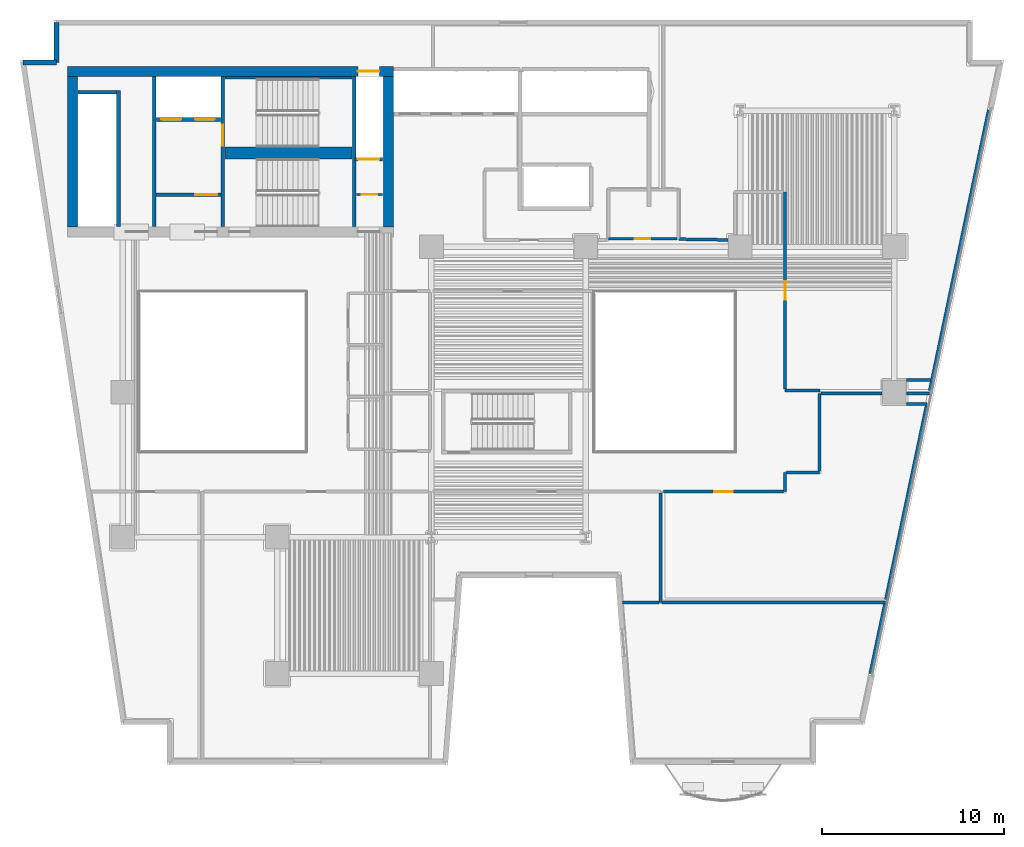
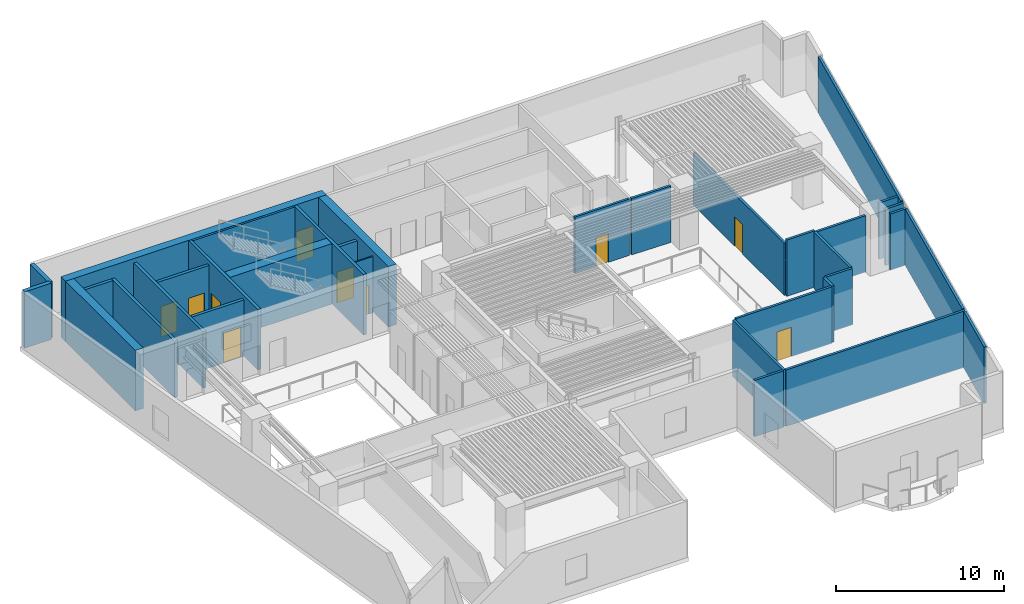
# One storey, part 5 of 11: 34 walls, 10 doors, 10 openings.
"""IFC4 building model written with IfcOpenShell, lengths in metres."""

from ifc_helpers import new_model, si_unit, direction, frame, frame_2d, origin, place, context, subcontext, project, spatial, rectangle, extrude, material, layer, layer_set, type_object, element, fill, save


model = new_model("IFC4")

# Units and contexts
model_context = context("Model", 3, precision=1e-05, world=origin(), true_north=direction((0.0, 1.0)))
body_context = subcontext(model_context, "Body", "Model", "MODEL_VIEW")
ifc_project = project(units=[si_unit("LENGTHUNIT", "METRE"), si_unit("AREAUNIT", "SQUARE_METRE"), si_unit("VOLUMEUNIT", "CUBIC_METRE"), si_unit("PLANEANGLEUNIT", "RADIAN"), si_unit("MASSUNIT", "GRAM", prefix="KILO")], contexts=[model_context])

# Site, building, storey
site_placement = place(None, origin())
site = spatial("IfcSite", under=ifc_project, at=site_placement, CompositionType="ELEMENT")
building_placement = place(site_placement, origin())
building = spatial("IfcBuilding", under=site, at=building_placement, Name="Caeloran Harvest Quay", CompositionType="ELEMENT")
storey_placement = place(building_placement, frame((0.0, 0.0, 49.0)))
storey = spatial("IfcBuildingStorey", under=building, at=storey_placement, Name="L11", CompositionType="ELEMENT", Elevation=49.0)

# Walls
ifc_material_1 = material(Name="Precast concrete C50/60", Category="concrete")
ifc_layer_1 = layer(ifc_material_1, 0.280029296875, Name="Precast concrete C50/60")
ifc_layer_set_1 = layer_set([ifc_layer_1], Name="Precast concrete C50/60")
wall_type_1 = type_object("IfcWallType", Name="ENV-WALL-EW-280", PredefinedType="STANDARD", material=ifc_layer_set_1)
wall_1_placement = place(storey_placement, frame((2.99755859375, 41.159912109375, 0.0), z_axis=(0.0, 0.0, 1.0), x_axis=(1.0, 0.0, 0.0)))
element("IfcWall", 1, at=wall_1_placement, inside=storey, type_object=wall_type_1, Name="L11 Exterior Precast Concrete Facade Wall 4", PredefinedType="STANDARD", context=body_context, shape_type="SweptSolid", body=[
    extrude(rectangle(XDim=1.842529296875, YDim=0.280029296875, at=frame_2d((0.92138671875, 0.0))), origin(), (0.0, 0.0, 1.0), 4.10009765625),
])
wall_2_placement = place(storey_placement, frame((4.840087890625, 41.159912109375, 0.0), z_axis=(0.0, 0.0, 1.0), x_axis=(0.0, 1.0, 0.0)))
element("IfcWall", 2, at=wall_2_placement, inside=storey, type_object=wall_type_1, Name="L11 Exterior Precast Concrete Facade Wall 5", PredefinedType="STANDARD", context=body_context, shape_type="SweptSolid", body=[
    extrude(rectangle(XDim=2.2001953125, YDim=0.280029296875, at=frame_2d((1.10009765625, 0.0))), origin(), (0.0, 0.0, 1.0), 4.10009765625),
])

# Wall, opening, door
ifc_material_2 = material(Name="Fire-Resisting Gypsum Core Riser Partition", Category="gypsum")
ifc_layer_2 = layer(ifc_material_2, 0.10009765625, Name="Fire-Resisting Gypsum Core Riser Partition")
ifc_layer_set_2 = layer_set([ifc_layer_2], Name="Fire-Resisting Gypsum Core Riser Partition")
wall_type_2 = type_object("IfcWallType", Name="INT-WALL-PW-100", PredefinedType="PARTITIONING", material=ifc_layer_set_2)
wall_3_placement = place(storey_placement, frame((21.3798828125, 33.889892578125, 0.0), z_axis=(0.0, 0.0, 1.0), x_axis=(1.0, 0.0, 0.0)))
wall_3 = element("IfcWall", 3, at=wall_3_placement, inside=storey, type_object=wall_type_2, Name="L11 Cleaner Store Partition Wall", PredefinedType="PARTITIONING", context=body_context, shape_type="SweptSolid", body=[
    extrude(rectangle(XDim=1.420166015625, YDim=0.10009765625, at=frame_2d((0.7099609375, 0.0))), origin(), (0.0, 0.0, 1.0), 4.10009765625),
])
opening_1_placement = place(wall_3_placement, frame((0.280029296875, 0.0, 0.0)))
opening_1 = element("IfcOpeningElement", 4, at=opening_1_placement, cuts=wall_3, Name="Opening SV-01", PredefinedType="OPENING", context=body_context, shape_type="SweptSolid", body=[
    extrude(rectangle(XDim=0.85009765625, YDim=2.10009765625, at=frame_2d((0.425048828125, 1.050048828125))), frame((0.0, 0.06005859375, 0.0), z_axis=(0.0, -1.0, 0.0), x_axis=(1.0, 0.0, 0.0)), (0.0, 0.0, 1.0), 0.1201171875),
])
ifc_material_3 = material(Name="Galvanized Painted Steel", Category="steel")
door_type_1 = type_object("IfcDoorType", Name="INTDOOR-SV-01", OperationType="NOTDEFINED", PredefinedType="DOOR", material=ifc_material_3)
door_1_placement = place(opening_1_placement, origin())
door_1 = element("IfcDoor", 5, at=door_1_placement, inside=storey, type_object=door_type_1, Name="L11 Cleaner Supply Store Access Door", OperationType="SINGLE_SWING_RIGHT", OverallHeight=2.10009765625, OverallWidth=0.85009765625, PredefinedType="DOOR", context=body_context, shape_type="SweptSolid", body=[
    extrude(rectangle(XDim=0.85009765625, YDim=2.10009765625, at=frame_2d((0.425048828125, 1.050048828125))), frame((0.0, 0.02490234375, 0.0), z_axis=(0.0, -1.0, 0.0), x_axis=(1.0, 0.0, 0.0)), (0.0, 0.0, 1.0), 0.050048828125),
])
fill(opening_1, door_1)

ifc_material_4 = material(Name="Autoclaved Aerated Concrete Blockwork and Plasterboard", Category="masonry")
ifc_layer_3 = layer(ifc_material_4, 0.14990234375, Name="Autoclaved Aerated Concrete Blockwork and Plasterboard")
ifc_layer_set_3 = layer_set([ifc_layer_3], Name="Autoclaved Aerated Concrete Blockwork and Plasterboard")
wall_type_3 = type_object("IfcWallType", Name="INT-WALL-PW-150", PredefinedType="PARTITIONING", material=ifc_layer_set_3)
wall_4_placement = place(storey_placement, frame((39.02001953125, 31.449951171875, 0.0), z_axis=(0.0, 0.0, 1.0), x_axis=(-1.0, 0.0, 0.0)))
wall_4 = element("IfcWall", 6, at=wall_4_placement, inside=storey, type_object=wall_type_3, Name="L11 Core Auxiliary Equipment Room Partition Wall", PredefinedType="PARTITIONING", context=body_context, shape_type="SweptSolid", body=[
    extrude(rectangle(XDim=3.77001953125, YDim=0.14990234375, at=frame_2d((1.885009765625, 0.0))), origin(), (0.0, 0.0, 1.0), 4.10009765625),
])
opening_2_placement = place(wall_4_placement, frame((1.4599609375, 0.0, 0.0)))
opening_2 = element("IfcOpeningElement", 7, at=opening_2_placement, cuts=wall_4, Name="Opening SV-01", PredefinedType="OPENING", context=body_context, shape_type="SweptSolid", body=[
    extrude(rectangle(XDim=0.85009765625, YDim=2.10009765625, at=frame_2d((0.425048828125, 1.050048828125))), frame((0.0, 0.0849609375, 0.0), z_axis=(0.0, -1.0, 0.0), x_axis=(1.0, 0.0, 0.0)), (0.0, 0.0, 1.0), 0.169921875),
])
door_2_placement = place(opening_2_placement, origin())
door_2 = element("IfcDoor", 8, at=door_2_placement, inside=storey, type_object=door_type_1, Name="L11 Core Auxiliary Equipment Room Access Door", OperationType="SINGLE_SWING_LEFT", OverallHeight=2.10009765625, OverallWidth=0.85009765625, PredefinedType="DOOR", context=body_context, shape_type="SweptSolid", body=[
    extrude(rectangle(XDim=0.85009765625, YDim=2.10009765625, at=frame_2d((0.425048828125, 1.050048828125))), frame((0.0, 0.02490234375, 0.0), z_axis=(0.0, -1.0, 0.0), x_axis=(1.0, 0.0, 0.0)), (0.0, 0.0, 1.0), 0.050048828125),
])
fill(opening_2, door_2)

# Walls
ifc_material_5 = material(Name="Autoclaved Aerated Concrete Blockwork", Category="masonry")
ifc_layer_4 = layer(ifc_material_5, 0.1650390625, Name="Autoclaved Aerated Concrete Blockwork")
ifc_layer_set_4 = layer_set([ifc_layer_4], Name="Autoclaved Aerated Concrete Blockwork")
wall_type_4 = type_object("IfcWallType", Name="INT-WALL-PW-165", PredefinedType="PARTITIONING", material=ifc_layer_set_4)
wall_5_placement = place(storey_placement, frame((38.1201171875, 17.4326171875, 0.0), z_axis=(0.0, 0.0, 1.0), x_axis=(0.0, -1.0, 0.0)))
element("IfcWall", 9, at=wall_5_placement, inside=storey, type_object=wall_type_4, Name="Microgreens LED Rack Chamber Partition Wall", PredefinedType="PARTITIONING", context=body_context, shape_type="SweptSolid", body=[
    extrude(rectangle(XDim=6.0126953125, YDim=0.1650390625, at=frame_2d((3.00634765625, 0.0))), origin(), (0.0, 0.0, 1.0), 4.10009765625),
])
wall_6_placement = place(storey_placement, frame((36.0302734375, 11.419921875, 0.0), z_axis=(0.0, 0.0, 1.0), x_axis=(1.0, 0.0, 0.0)))
element("IfcWall", 10, at=wall_6_placement, inside=storey, type_object=wall_type_4, Name="Microgreens LED Rack Chamber Partition Wall", PredefinedType="PARTITIONING", context=body_context, shape_type="SweptSolid", body=[
    extrude(rectangle(XDim=2.002197265625, YDim=0.1650390625, at=frame_2d((1.0009765625, 0.0))), origin(), (0.0, 0.0, 1.0), 4.10009765625),
])
wall_7_placement = place(storey_placement, frame((38.20751953125, 11.419921875, 0.0), z_axis=(0.0, 0.0, 1.0), x_axis=(1.0, 0.0, 0.0)))
element("IfcWall", 11, at=wall_7_placement, inside=storey, type_object=wall_type_4, Name="Microgreens LED Rack Chamber Partition Wall", PredefinedType="PARTITIONING", context=body_context, shape_type="SweptSolid", body=[
    extrude(rectangle(XDim=12.302978515625, YDim=0.1650390625, at=frame_2d((6.1513671875, 0.0))), origin(), (0.0, 0.0, 1.0), 4.10009765625),
])
wall_8_placement = place(storey_placement, frame((50.4765625, 11.33251953125, 0.0), z_axis=(0.0, 0.0, 1.0), x_axis=(-0.205570398428, -0.978642330624, 0.0)))
element("IfcWall", 12, at=wall_8_placement, inside=storey, type_object=wall_type_4, Name="Microgreens LED Rack Chamber Partition Wall", PredefinedType="PARTITIONING", context=body_context, shape_type="SweptSolid", body=[
    extrude(rectangle(XDim=3.914306640625, YDim=0.1650390625, at=frame_2d((1.95703125, 0.0))), origin(), (0.0, 0.0, 1.0), 4.10009765625),
])
wall_9_placement = place(storey_placement, frame((44.97998046875, 17.52001953125, 0.0), z_axis=(0.0, 0.0, 1.0), x_axis=(0.0, 1.0, 0.0)))
element("IfcWall", 13, at=wall_9_placement, inside=storey, type_object=wall_type_4, Name="Tissue Culture Laboratory Partition Wall", PredefinedType="PARTITIONING", context=body_context, shape_type="SweptSolid", body=[
    extrude(rectangle(XDim=1.050048828125, YDim=0.1650390625, at=frame_2d((0.52490234375, 0.0))), origin(), (0.0, 0.0, 1.0), 4.10009765625),
])
wall_10_placement = place(storey_placement, frame((45.0673828125, 18.570068359375, 0.0), z_axis=(0.0, 0.0, 1.0), x_axis=(1.0, 0.0, 0.0)))
element("IfcWall", 14, at=wall_10_placement, inside=storey, type_object=wall_type_4, Name="Tissue Culture Laboratory Partition Wall", PredefinedType="PARTITIONING", context=body_context, shape_type="SweptSolid", body=[
    extrude(rectangle(XDim=1.8125, YDim=0.1650390625, at=frame_2d((0.90625, 0.0))), origin(), (0.0, 0.0, 1.0), 4.10009765625),
])
wall_11_placement = place(storey_placement, frame((46.8798828125, 18.657470703125, 0.0), z_axis=(0.0, 0.0, 1.0), x_axis=(0.0, 1.0, 0.0)))
element("IfcWall", 15, at=wall_11_placement, inside=storey, type_object=wall_type_4, Name="Tissue Culture Laboratory Partition Wall", PredefinedType="PARTITIONING", context=body_context, shape_type="SweptSolid", body=[
    extrude(rectangle(XDim=4.262451171875, YDim=0.1650390625, at=frame_2d((2.13134765625, 0.0))), origin(), (0.0, 0.0, 1.0), 4.10009765625),
])
wall_12_placement = place(storey_placement, frame((46.967529296875, 22.919921875, 0.0), z_axis=(0.0, 0.0, 1.0), x_axis=(1.0, 0.0, 0.0)))
element("IfcWall", 16, at=wall_12_placement, inside=storey, type_object=wall_type_4, Name="Tissue Culture Laboratory Partition Wall", PredefinedType="PARTITIONING", context=body_context, shape_type="SweptSolid", body=[
    extrude(rectangle(XDim=3.357421875, YDim=0.1650390625, at=frame_2d((1.6787109375, 0.0))), origin(), (0.0, 0.0, 1.0), 4.10009765625),
])
wall_13_placement = place(storey_placement, frame((51.675048828125, 22.3349609375, 0.0), z_axis=(0.0, 0.0, 1.0), x_axis=(1.0, 0.0, 0.0)))
element("IfcWall", 17, at=wall_13_placement, inside=storey, type_object=wall_type_4, Name="Tissue Culture Laboratory Partition Wall", PredefinedType="PARTITIONING", context=body_context, shape_type="SweptSolid", body=[
    extrude(rectangle(XDim=1.12841796875, YDim=0.1650390625, at=frame_2d((0.564208984375, 0.0))), origin(), (0.0, 0.0, 1.0), 4.10009765625),
])
wall_14_placement = place(storey_placement, frame((51.675048828125, 22.919921875, 0.0), z_axis=(0.0, 0.0, 1.0), x_axis=(1.0, 0.0, 0.0)))
element("IfcWall", 18, at=wall_14_placement, inside=storey, type_object=wall_type_4, Name="Tissue Culture Laboratory Partition Wall", PredefinedType="PARTITIONING", context=body_context, shape_type="SweptSolid", body=[
    extrude(rectangle(XDim=1.25146484375, YDim=0.1650390625, at=frame_2d((0.625732421875, 0.0))), origin(), (0.0, 0.0, 1.0), 4.10009765625),
])
wall_15_placement = place(storey_placement, frame((52.769775390625, 22.24755859375, 0.0), z_axis=(0.0, 0.0, 1.0), x_axis=(-0.205565714744, -0.978643314452, 0.0)))
element("IfcWall", 19, at=wall_15_placement, inside=storey, type_object=wall_type_4, Name="Tissue Culture Laboratory Partition Wall", PredefinedType="PARTITIONING", context=body_context, shape_type="SweptSolid", body=[
    extrude(rectangle(XDim=10.900390625, YDim=0.1650390625, at=frame_2d((5.4501953125, 0.0))), origin(), (0.0, 0.0, 1.0), 4.10009765625),
])

# Wall, opening, door
wall_16_placement = place(storey_placement, frame((38.280029296875, 17.52001953125, 0.0), z_axis=(0.0, 0.0, 1.0), x_axis=(1.0, 0.0, 0.0)))
wall_16 = element("IfcWall", 20, at=wall_16_placement, inside=storey, type_object=wall_type_4, Name="Tissue Culture Laboratory Partition Wall", PredefinedType="PARTITIONING", context=body_context, shape_type="SweptSolid", body=[
    extrude(rectangle(XDim=6.612548828125, YDim=0.1650390625, at=frame_2d((3.30615234375, 0.0))), origin(), (0.0, 0.0, 1.0), 4.10009765625),
])
opening_3_placement = place(wall_16_placement, frame((2.80615234375, 0.0, 0.0)))
opening_3 = element("IfcOpeningElement", 21, at=opening_3_placement, cuts=wall_16, Name="Opening ID-01", PredefinedType="OPENING", context=body_context, shape_type="SweptSolid", body=[
    extrude(rectangle(XDim=1.0, YDim=2.14990234375, at=frame_2d((0.5, 1.074951171875))), frame((0.0, 0.092529296875, 0.0), z_axis=(0.0, -1.0, 0.0), x_axis=(1.0, 0.0, 0.0)), (0.0, 0.0, 1.0), 0.18505859375),
])
ifc_material_6 = material(Name="FSC Solid-Core Ash Timber and Acoustic Seal", Category="wood")
door_type_2 = type_object("IfcDoorType", Name="INTDOOR-ID-01", OperationType="NOTDEFINED", PredefinedType="DOOR", material=ifc_material_6)
door_3_placement = place(opening_3_placement, origin())
door_3 = element("IfcDoor", 22, at=door_3_placement, inside=storey, type_object=door_type_2, Name="Tissue Culture Laboratory Access Door", OperationType="SINGLE_SWING_RIGHT", OverallHeight=2.14990234375, OverallWidth=1.0, PredefinedType="DOOR", context=body_context, shape_type="SweptSolid", body=[
    extrude(rectangle(XDim=1.0, YDim=2.14990234375, at=frame_2d((0.5, 1.074951171875))), frame((0.0, 0.02490234375, 0.0), z_axis=(0.0, -1.0, 0.0), x_axis=(1.0, 0.0, 0.0)), (0.0, 0.0, 1.0), 0.050048828125),
])
fill(opening_3, door_3)

# Walls
wall_17_placement = place(storey_placement, frame((56.1943359375, 38.547607421875, 0.0), z_axis=(0.0, 0.0, 1.0), x_axis=(-0.205583069276, -0.978639668942, 0.0)))
element("IfcWall", 23, at=wall_17_placement, inside=storey, type_object=wall_type_4, Name="Agronomy Break Kitchen Partition Wall", PredefinedType="PARTITIONING", context=body_context, shape_type="SweptSolid", body=[
    extrude(rectangle(XDim=15.80517578125, YDim=0.1650390625, at=frame_2d((7.902587890625, 0.0))), origin(), (0.0, 0.0, 1.0), 4.10009765625),
])
wall_18_placement = place(storey_placement, frame((52.978515625, 23.6650390625, 0.0), z_axis=(0.0, 0.0, 1.0), x_axis=(-1.0, 0.0, 0.0)))
element("IfcWall", 24, at=wall_18_placement, inside=storey, type_object=wall_type_4, Name="Agronomy Break Kitchen Partition Wall", PredefinedType="PARTITIONING", context=body_context, shape_type="SweptSolid", body=[
    extrude(rectangle(XDim=1.303466796875, YDim=0.1650390625, at=frame_2d((0.65185546875, 0.0))), origin(), (0.0, 0.0, 1.0), 4.10009765625),
])
wall_19_placement = place(storey_placement, frame((46.91357421875, 23.080078125, 0.0), z_axis=(0.0, 0.0, 1.0), x_axis=(-1.0, 0.0, 0.0)))
element("IfcWall", 25, at=wall_19_placement, inside=storey, type_object=wall_type_4, Name="Agronomy Break Kitchen Partition Wall", PredefinedType="PARTITIONING", context=body_context, shape_type="SweptSolid", body=[
    extrude(rectangle(XDim=1.93359375, YDim=0.1650390625, at=frame_2d((0.966796875, 0.0))), origin(), (0.0, 0.0, 1.0), 4.10009765625),
])

# Wall, opening, door
wall_20_placement = place(storey_placement, frame((44.97998046875, 23.16748046875, 0.0), z_axis=(0.0, 0.0, 1.0), x_axis=(0.0, 1.0, 0.0)))
wall_20 = element("IfcWall", 26, at=wall_20_placement, inside=storey, type_object=wall_type_4, Name="Agronomy Break Kitchen Partition Wall", PredefinedType="PARTITIONING", context=body_context, shape_type="SweptSolid", body=[
    extrude(rectangle(XDim=10.862548828125, YDim=0.1650390625, at=frame_2d((5.43115234375, 0.0))), origin(), (0.0, 0.0, 1.0), 3.784912109375),
])
opening_4_placement = place(wall_20_placement, frame((4.931396484375, 0.0, 0.0)))
opening_4 = element("IfcOpeningElement", 27, at=opening_4_placement, cuts=wall_20, Name="Opening ID-01", PredefinedType="OPENING", context=body_context, shape_type="SweptSolid", body=[
    extrude(rectangle(XDim=1.0, YDim=2.14990234375, at=frame_2d((0.5, 1.074951171875))), frame((0.0, 0.092529296875, 0.0), z_axis=(0.0, -1.0, 0.0), x_axis=(1.0, 0.0, 0.0)), (0.0, 0.0, 1.0), 0.18505859375),
])
door_4_placement = place(opening_4_placement, origin())
door_4 = element("IfcDoor", 28, at=door_4_placement, inside=storey, type_object=door_type_2, Name="Agronomy Break Kitchen Access Door", OperationType="SINGLE_SWING_RIGHT", OverallHeight=2.14990234375, OverallWidth=1.0, PredefinedType="DOOR", context=body_context, shape_type="SweptSolid", body=[
    extrude(rectangle(XDim=1.0, YDim=2.14990234375, at=frame_2d((0.5, 1.074951171875))), frame((0.0, 0.02490234375, 0.0), z_axis=(0.0, -1.0, 0.0), x_axis=(1.0, 0.0, 0.0)), (0.0, 0.0, 1.0), 0.050048828125),
])
fill(opening_4, door_4)

# Walls
wall_21_placement = place(storey_placement, frame((41.824951171875, 31.38623046875, 0.0), z_axis=(0.0, 0.0, 1.0), x_axis=(-0.999874366695, 0.015850893575, 0.0)))
element("IfcWall", 29, at=wall_21_placement, inside=storey, type_object=wall_type_4, Name="Agronomy Break Kitchen Partition Wall", PredefinedType="PARTITIONING", context=body_context, shape_type="SweptSolid", body=[
    extrude(rectangle(XDim=2.6953125, YDim=0.1650390625, at=frame_2d((1.34765625, 0.0))), origin(), (0.0, 0.0, 1.0), 4.10009765625),
])
ifc_material_7 = material(Name="Concrete C50/60", Category="concrete")
ifc_layer_5 = layer(ifc_material_7, 0.199951171875, Name="Concrete C50/60")
ifc_layer_set_5 = layer_set([ifc_layer_5], Name="Concrete C50/60")
wall_type_5 = type_object("IfcWallType", Name="INT-WALL-SW-200", PredefinedType="PARTITIONING", material=ifc_layer_set_5)
wall_22_placement = place(storey_placement, frame((8.260009765625, 32.1201171875, 0.0), z_axis=(0.0, 0.0, 1.0), x_axis=(0.0, 1.0, 0.0)))
element("IfcWall", 30, at=wall_22_placement, inside=storey, type_object=wall_type_5, Name="L11 Bank 3 Lift Shaft Wall", PredefinedType="PARTITIONING", context=body_context, shape_type="SweptSolid", body=[
    extrude(rectangle(XDim=7.5, YDim=0.199951171875, at=frame_2d((3.75, 0.0))), origin(), (0.0, 0.0, 1.0), 4.10009765625),
])
wall_23_placement = place(storey_placement, frame((6.02001953125, 39.52001953125, 0.0), z_axis=(0.0, 0.0, 1.0), x_axis=(1.0, 0.0, 0.0)))
element("IfcWall", 31, at=wall_23_placement, inside=storey, type_object=wall_type_5, Name="L11 Bank 3 Lift Shaft North End Wall", PredefinedType="PARTITIONING", context=body_context, shape_type="SweptSolid", body=[
    extrude(rectangle(XDim=2.119873046875, YDim=0.199951171875, at=frame_2d((1.06005859375, 0.0))), origin(), (0.0, 0.0, 1.0), 4.10009765625),
])
wall_24_placement = place(storey_placement, frame((10.219970703125, 32.1201171875, 0.0), z_axis=(0.0, 0.0, 1.0), x_axis=(0.0, 1.0, 0.0)))
element("IfcWall", 32, at=wall_24_placement, inside=storey, type_object=wall_type_5, Name="L11 Core Lobby Compartment Wall", PredefinedType="PARTITIONING", context=body_context, shape_type="SweptSolid", body=[
    extrude(rectangle(XDim=8.259765625, YDim=0.199951171875, at=frame_2d((4.1298828125, 0.0))), origin(), (0.0, 0.0, 1.0), 4.10009765625),
])

# Wall, openings, doors
wall_25_placement = place(storey_placement, frame((10.340087890625, 38.02001953125, 0.0), z_axis=(0.0, 0.0, 1.0), x_axis=(1.0, 0.0, 0.0)))
wall_25 = element("IfcWall", 33, at=wall_25_placement, inside=storey, type_object=wall_type_5, Name="L11 Firefighting Lift Shaft Wall", PredefinedType="PARTITIONING", context=body_context, shape_type="SweptSolid", body=[
    extrude(rectangle(XDim=3.539794921875, YDim=0.199951171875, at=frame_2d((1.77001953125, 0.0))), origin(), (0.0, 0.0, 1.0), 4.10009765625),
])
opening_5_placement = place(wall_25_placement, frame((0.284912109375, 0.0, 0.0)))
opening_5 = element("IfcOpeningElement", 34, at=opening_5_placement, cuts=wall_25, Name="Opening LD-01", PredefinedType="OPENING", context=body_context, shape_type="SweptSolid", body=[
    extrude(rectangle(XDim=1.10009765625, YDim=2.199951171875, at=frame_2d((0.550048828125, 1.10009765625))), frame((0.0, 0.10986328125, 0.0), z_axis=(0.0, -1.0, 0.0), x_axis=(1.0, 0.0, 0.0)), (0.0, 0.0, 1.0), 0.219970703125),
])
opening_6_placement = place(wall_25_placement, frame((2.135009765625, 0.0, 0.0)))
opening_6 = element("IfcOpeningElement", 35, at=opening_6_placement, cuts=wall_25, Name="Opening LD-01", PredefinedType="OPENING", context=body_context, shape_type="SweptSolid", body=[
    extrude(rectangle(XDim=1.10009765625, YDim=2.199951171875, at=frame_2d((0.550048828125, 1.10009765625))), frame((0.0, 0.10986328125, 0.0), z_axis=(0.0, -1.0, 0.0), x_axis=(1.0, 0.0, 0.0)), (0.0, 0.0, 1.0), 0.219970703125),
])
ifc_material_8 = material(Name="Stainless Steel Grade 316", Category="steel")
door_type_3 = type_object("IfcDoorType", Name="INTDOOR-LD-01", OperationType="NOTDEFINED", PredefinedType="DOOR", material=ifc_material_8)
door_5_placement = place(opening_5_placement, origin())
door_5 = element("IfcDoor", 36, at=door_5_placement, inside=storey, type_object=door_type_3, Name="Lift FF-1 Sliding Landing Door (L11)", OperationType="DOUBLE_DOOR_SLIDING", OverallHeight=2.199951171875, OverallWidth=1.10009765625, PredefinedType="DOOR", context=body_context, shape_type="SweptSolid", body=[
    extrude(rectangle(XDim=1.10009765625, YDim=2.199951171875, at=frame_2d((0.550048828125, 1.10009765625))), frame((0.0, 0.02490234375, 0.0), z_axis=(0.0, -1.0, 0.0), x_axis=(1.0, 0.0, 0.0)), (0.0, 0.0, 1.0), 0.050048828125),
])
fill(opening_5, door_5)
door_6_placement = place(opening_6_placement, origin())
door_6 = element("IfcDoor", 37, at=door_6_placement, inside=storey, type_object=door_type_3, Name="Lift FF-2 Sliding Landing Door (L11)", OperationType="DOUBLE_DOOR_SLIDING", OverallHeight=2.199951171875, OverallWidth=1.10009765625, PredefinedType="DOOR", context=body_context, shape_type="SweptSolid", body=[
    extrude(rectangle(XDim=1.10009765625, YDim=2.199951171875, at=frame_2d((0.550048828125, 1.10009765625))), frame((0.0, 0.02490234375, 0.0), z_axis=(0.0, -1.0, 0.0), x_axis=(1.0, 0.0, 0.0)), (0.0, 0.0, 1.0), 0.050048828125),
])
fill(opening_6, door_6)

# Wall, opening, door
wall_26_placement = place(storey_placement, frame((10.340087890625, 33.8798828125, 0.0), z_axis=(0.0, 0.0, 1.0), x_axis=(1.0, 0.0, 0.0)))
wall_26 = element("IfcWall", 38, at=wall_26_placement, inside=storey, type_object=wall_type_5, Name="L11 Firefighting Lift Lobby Enclosure Wall", PredefinedType="PARTITIONING", context=body_context, shape_type="SweptSolid", body=[
    extrude(rectangle(XDim=3.559814453125, YDim=0.199951171875, at=frame_2d((1.77978515625, 0.0))), origin(), (0.0, 0.0, 1.0), 4.10009765625),
])
opening_7_placement = place(wall_26_placement, frame((2.14990234375, 0.0, 0.0)))
opening_7 = element("IfcOpeningElement", 39, at=opening_7_placement, cuts=wall_26, Name="Opening FD-01", PredefinedType="OPENING", context=body_context, shape_type="SweptSolid", body=[
    extrude(rectangle(XDim=1.199951171875, YDim=2.199951171875, at=frame_2d((0.60009765625, 1.10009765625))), frame((0.0, 0.10986328125, 0.0), z_axis=(0.0, -1.0, 0.0), x_axis=(1.0, 0.0, 0.0)), (0.0, 0.0, 1.0), 0.219970703125),
])
ifc_material_9 = material(Name="Steel", Category="steel")
door_type_4 = type_object("IfcDoorType", Name="INTDOOR-FD-01", OperationType="NOTDEFINED", PredefinedType="DOOR", material=ifc_material_9)
door_7_placement = place(opening_7_placement, origin())
door_7 = element("IfcDoor", 40, at=door_7_placement, inside=storey, type_object=door_type_4, Name="L11 Firefighting Lift Lobby Smoke-Seal Fire Door", OperationType="SINGLE_SWING_LEFT", OverallHeight=2.199951171875, OverallWidth=1.199951171875, PredefinedType="DOOR", context=body_context, shape_type="SweptSolid", body=[
    extrude(rectangle(XDim=1.199951171875, YDim=2.199951171875, at=frame_2d((0.60009765625, 1.10009765625))), frame((0.0, 0.02490234375, 0.0), z_axis=(0.0, -1.0, 0.0), x_axis=(1.0, 0.0, 0.0)), (0.0, 0.0, 1.0), 0.050048828125),
])
fill(opening_7, door_7)

wall_27_placement = place(storey_placement, frame((21.300048828125, 35.820068359375, 0.0), z_axis=(0.0, 0.0, 1.0), x_axis=(1.0, 0.0, 0.0)))
wall_27 = element("IfcWall", 41, at=wall_27_placement, inside=storey, type_object=wall_type_5, Name="L11 Service Lift SV-2 Shaft Wall", PredefinedType="PARTITIONING", context=body_context, shape_type="SweptSolid", body=[
    extrude(rectangle(XDim=1.5, YDim=0.199951171875, at=frame_2d((0.75, 0.0))), origin(), (0.0, 0.0, 1.0), 4.10009765625),
])
opening_8_placement = place(wall_27_placement, frame((0.14501953125, 0.0, 0.0)))
opening_8 = element("IfcOpeningElement", 42, at=opening_8_placement, cuts=wall_27, Name="Opening LD-02", PredefinedType="OPENING", context=body_context, shape_type="SweptSolid", body=[
    extrude(rectangle(XDim=1.179931640625, YDim=2.25, at=frame_2d((0.58984375, 1.125))), frame((0.0, 0.10986328125, 0.0), z_axis=(0.0, -1.0, 0.0), x_axis=(1.0, 0.0, 0.0)), (0.0, 0.0, 1.0), 0.219970703125),
])
door_type_5 = type_object("IfcDoorType", Name="INTDOOR-LD-02", OperationType="NOTDEFINED", PredefinedType="DOOR", material=ifc_material_8)
door_8_placement = place(opening_8_placement, origin())
door_8 = element("IfcDoor", 43, at=door_8_placement, inside=storey, type_object=door_type_5, Name="Lift SV-2 Sliding Landing Door (L11)", OperationType="DOUBLE_DOOR_SLIDING", OverallHeight=2.25, OverallWidth=1.179931640625, PredefinedType="DOOR", context=body_context, shape_type="SweptSolid", body=[
    extrude(rectangle(XDim=1.179931640625, YDim=2.25, at=frame_2d((0.58984375, 1.125))), frame((0.0, 0.02490234375, 0.0), z_axis=(0.0, -1.0, 0.0), x_axis=(1.0, 0.0, 0.0)), (0.0, 0.0, 1.0), 0.050048828125),
])
fill(opening_8, door_8)

ifc_material_10 = material(Name="Concrete C80/95", Category="concrete")
ifc_layer_6 = layer(ifc_material_10, 0.550048828125, Name="Concrete C80/95")
ifc_layer_set_6 = layer_set([ifc_layer_6], Name="Concrete C80/95")
wall_type_6 = type_object("IfcWallType", Name="STR-WALL-CW-550", PredefinedType="SHEAR", material=ifc_layer_set_6)
wall_28_placement = place(storey_placement, frame((5.449951171875, 40.675048828125, 0.0), z_axis=(0.0, 0.0, 1.0), x_axis=(1.0, 0.0, 0.0)))
wall_28 = element("IfcWall", 44, at=wall_28_placement, inside=storey, type_object=wall_type_6, Name="L11 Rear Core Shear Wall N", PredefinedType="SHEAR", context=body_context, shape_type="SweptSolid", body=[
    extrude(rectangle(XDim=17.949951171875, YDim=0.550048828125, at=frame_2d((8.97509765625, 0.0))), origin(), (0.0, 0.0, 1.0), 4.39990234375),
])
opening_9_placement = place(wall_28_placement, frame((15.9951171875, 0.0, 0.0)))
opening_9 = element("IfcOpeningElement", 45, at=opening_9_placement, cuts=wall_28, Name="Opening LD-02", PredefinedType="OPENING", context=body_context, shape_type="SweptSolid", body=[
    extrude(rectangle(XDim=1.179931640625, YDim=2.25, at=frame_2d((0.58984375, 1.125))), frame((0.0, 0.28515625, 0.0), z_axis=(0.0, -1.0, 0.0), x_axis=(1.0, 0.0, 0.0)), (0.0, 0.0, 1.0), 0.570068359375),
])
door_9_placement = place(opening_9_placement, origin())
door_9 = element("IfcDoor", 46, at=door_9_placement, inside=storey, type_object=door_type_5, Name="Lift SV-1 Sliding Landing Door (L11)", OperationType="DOUBLE_DOOR_SLIDING", OverallHeight=2.25, OverallWidth=1.179931640625, PredefinedType="DOOR", context=body_context, shape_type="SweptSolid", body=[
    extrude(rectangle(XDim=1.179931640625, YDim=2.25, at=frame_2d((0.58984375, 1.125))), frame((0.0, 0.02490234375, 0.0), z_axis=(0.0, -1.0, 0.0), x_axis=(1.0, 0.0, 0.0)), (0.0, 0.0, 1.0), 0.050048828125),
])
fill(opening_9, door_9)

# Walls
for number, where, z_axis, x_axis, name in (
    (47, (5.72509765625, 32.10009765625, 0.0), (0.0, 0.0, 1.0), (0.0, 1.0, 0.0), "L11 Rear Core Shear Wall W"),
    (48, (23.125, 32.10009765625, 0.0), (0.0, 0.0, 1.0), (0.0, 1.0, 0.0), "L11 Rear Core Shear Wall E"),
):
    element("IfcWall", number, at=place(storey_placement, frame(where, z_axis=z_axis, x_axis=x_axis)), inside=storey, type_object=wall_type_6, Name=name, PredefinedType="SHEAR", context=body_context, shape_type="SweptSolid", body=[
        extrude(rectangle(XDim=8.2998046875, YDim=0.550048828125, at=frame_2d((4.14990234375, 0.0))), origin(), (0.0, 0.0, 1.0), 4.39990234375),
    ])
ifc_material_11 = material(Name="Concrete C60/75", Category="concrete")
ifc_layer_7 = layer(ifc_material_11, 0.64990234375, Name="Concrete C60/75")
ifc_layer_set_7 = layer_set([ifc_layer_7], Name="Concrete C60/75")
wall_type_7 = type_object("IfcWallType", Name="STR-WALL-CW-650", PredefinedType="SHEAR", material=ifc_layer_set_7)
wall_29_placement = place(storey_placement, frame((14.1201171875, 36.175048828125, 0.0), z_axis=(0.0, 0.0, 1.0), x_axis=(1.0, 0.0, 0.0)))
element("IfcWall", 49, at=wall_29_placement, inside=storey, type_object=wall_type_7, Name="L11 Core Stairs Dividing Shear Wall", PredefinedType="SHEAR", context=body_context, shape_type="SweptSolid", body=[
    extrude(rectangle(XDim=7.009765625, YDim=0.64990234375, at=frame_2d((3.5048828125, 0.0))), origin(), (0.0, 0.0, 1.0), 4.39990234375),
])
ifc_layer_8 = layer(ifc_material_11, 0.139892578125, Name="Concrete C60/75")
ifc_layer_set_8 = layer_set([ifc_layer_8], Name="Concrete C60/75")
wall_type_8 = type_object("IfcWallType", Name="STR-WALL-SW-140", PredefinedType="SHEAR", material=ifc_layer_set_8)
wall_30_placement = place(storey_placement, frame((14.1201171875, 40.320068359375, 0.0), z_axis=(0.0, 0.0, 1.0), x_axis=(1.0, 0.0, 0.0)))
element("IfcWall", 50, at=wall_30_placement, inside=storey, type_object=wall_type_8, Name="L11 Core Stair ST-C1 North Bearing Shear Wall", PredefinedType="SHEAR", context=body_context, shape_type="SweptSolid", body=[
    extrude(rectangle(XDim=7.009765625, YDim=0.139892578125, at=frame_2d((3.5048828125, 0.0))), origin(), (0.0, 0.0, 1.0), 4.39990234375),
])

# Wall, opening, door
ifc_layer_9 = layer(ifc_material_11, 0.199951171875, Name="Concrete C60/75")
ifc_layer_set_9 = layer_set([ifc_layer_9], Name="Concrete C60/75")
wall_type_9 = type_object("IfcWallType", Name="STR-WALL-SW-200", PredefinedType="SHEAR", material=ifc_layer_set_9)
wall_31_placement = place(storey_placement, frame((14.0, 32.1201171875, 0.0), z_axis=(0.0, 0.0, 1.0), x_axis=(0.0, 1.0, 0.0)))
wall_31 = element("IfcWall", 51, at=wall_31_placement, inside=storey, type_object=wall_type_9, Name="L11 Core Stair Shaft West Shear Wall", PredefinedType="SHEAR", context=body_context, shape_type="SweptSolid", body=[
    extrude(rectangle(XDim=8.259765625, YDim=0.199951171875, at=frame_2d((4.1298828125, 0.0))), origin(), (0.0, 0.0, 1.0), 4.39990234375),
])
opening_10_placement = place(wall_31_placement, frame((4.4599609375, 0.0, 0.0)))
opening_10 = element("IfcOpeningElement", 52, at=opening_10_placement, cuts=wall_31, Name="Opening SD-01", PredefinedType="OPENING", context=body_context, shape_type="SweptSolid", body=[
    extrude(rectangle(XDim=1.14990234375, YDim=2.199951171875, at=frame_2d((0.574951171875, 1.10009765625))), frame((0.0, 0.10986328125, 0.0), z_axis=(0.0, -1.0, 0.0), x_axis=(1.0, 0.0, 0.0)), (0.0, 0.0, 1.0), 0.219970703125),
])
door_type_6 = type_object("IfcDoorType", Name="INTDOOR-SD-01", OperationType="NOTDEFINED", PredefinedType="DOOR", material=ifc_material_9)
door_10_placement = place(opening_10_placement, origin())
door_10 = element("IfcDoor", 53, at=door_10_placement, inside=storey, type_object=door_type_6, Name="L11 Protected Stair ST-C1 Exit Door", OperationType="SINGLE_SWING_LEFT", OverallHeight=2.199951171875, OverallWidth=1.14990234375, PredefinedType="DOOR", context=body_context, shape_type="SweptSolid", body=[
    extrude(rectangle(XDim=1.14990234375, YDim=2.199951171875, at=frame_2d((0.574951171875, 1.10009765625))), frame((0.0, 0.02490234375, 0.0), z_axis=(0.0, -1.0, 0.0), x_axis=(1.0, 0.0, 0.0)), (0.0, 0.0, 1.0), 0.050048828125),
])
fill(opening_10, door_10)

# Wall
wall_32_placement = place(storey_placement, frame((21.25, 32.1201171875, 0.0), z_axis=(0.0, 0.0, 1.0), x_axis=(0.0, 1.0, 0.0)))
element("IfcWall", 54, at=wall_32_placement, inside=storey, type_object=wall_type_9, Name="L11 Core Stair Shaft East Shear Wall", PredefinedType="SHEAR", context=body_context, shape_type="SweptSolid", body=[
    extrude(rectangle(XDim=8.259765625, YDim=0.199951171875, at=frame_2d((4.1298828125, 0.0))), origin(), (0.0, 0.0, 1.0), 4.39990234375),
])

save(model, "model.ifc")
